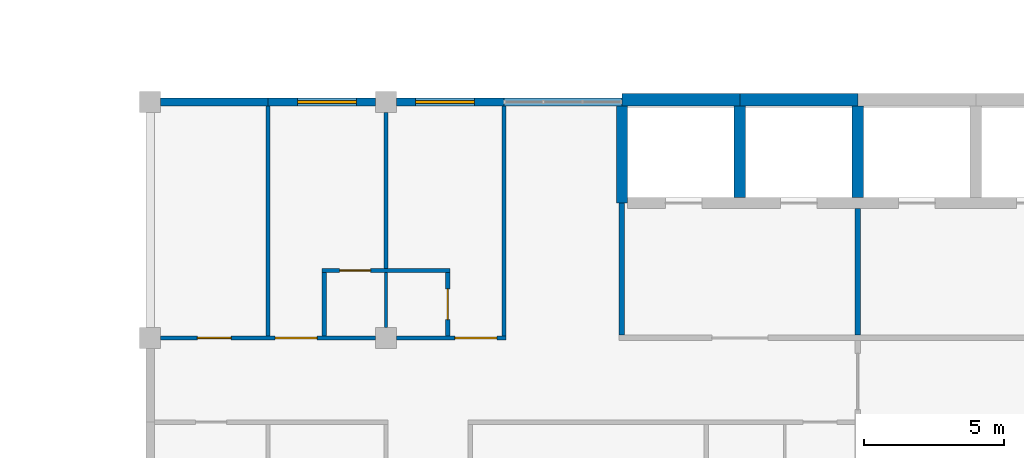
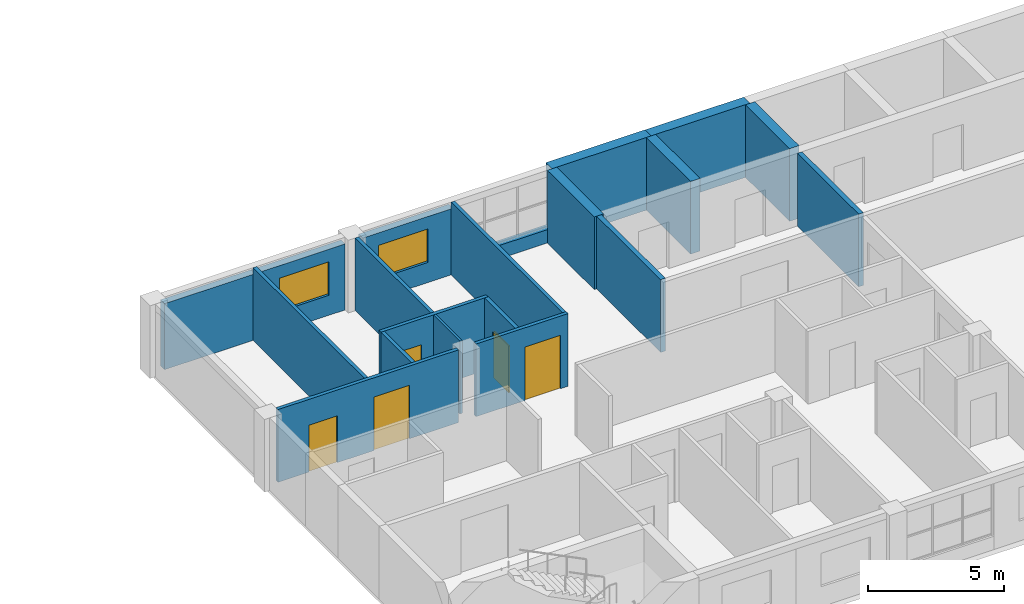
# One storey, part 31 of 46: 20 walls, 5 doors, 2 windows, 7 openings.
"""IFC4 building model written with IfcOpenShell, lengths in metres."""

from ifc_helpers import new_model, si_unit, direction, frame, frame_2d, origin, place, context, subcontext, project, spatial, rectangle, extrude, material, layer, layer_set, type_object, element, fill, save


model = new_model("IFC4")

# Units and contexts
model_context = context("Model", 3, precision=1e-05, world=origin(), true_north=direction((0.0, 1.0)))
body_context = subcontext(model_context, "Body", "Model", "MODEL_VIEW")
ifc_project = project(units=[si_unit("LENGTHUNIT", "METRE"), si_unit("AREAUNIT", "SQUARE_METRE"), si_unit("VOLUMEUNIT", "CUBIC_METRE"), si_unit("PLANEANGLEUNIT", "RADIAN"), si_unit("MASSUNIT", "GRAM", prefix="KILO")], contexts=[model_context])

# Site, building, storey
site_placement = place(None, origin())
site = spatial("IfcSite", under=ifc_project, at=site_placement, CompositionType="ELEMENT")
building_placement = place(site_placement, origin())
building = spatial("IfcBuilding", under=site, at=building_placement, Name="Yavir Park General Hospital", CompositionType="ELEMENT")
storey_placement = place(building_placement, frame((0.0, 0.0, 18.89990234375)))
storey = spatial("IfcBuildingStorey", under=building, at=storey_placement, Name="L04", CompositionType="ELEMENT", Elevation=18.89990234375)

# Walls
ifc_material_1 = material(Name="Double gypsum board fire partition on steel studs", Category="steel")
ifc_layer_1 = layer(ifc_material_1, 0.199951171875)
ifc_layer_set_1 = layer_set([ifc_layer_1], Name="Double gypsum board fire partition on steel studs")
wall_type_1 = type_object("IfcWallType", Name="Fire-rated partition 200, EI 60", PredefinedType="PARTITIONING", material=ifc_layer_set_1)
wall_1_placement = place(storey_placement, frame((117.60009765625, 16.89990234375, 0.0), z_axis=(0.0, 0.0, 1.0), x_axis=(0.0, 1.0, 0.0)))
element("IfcWall", 1, at=wall_1_placement, inside=storey, type_object=wall_type_1, Name="FP20 L04-240", PredefinedType="PARTITIONING", context=body_context, shape_type="SweptSolid", body=[
    extrude(rectangle(XDim=4.7001953125, YDim=0.199951171875, at=frame_2d((2.35009765625, 0.0))), origin(), (0.0, 0.0, 1.0), 3.260009765625),
])
wall_2_placement = place(storey_placement, frame((126.0, 16.89990234375, 0.0), z_axis=(0.0, 0.0, 1.0), x_axis=(0.0, 1.0, 0.0)))
element("IfcWall", 2, at=wall_2_placement, inside=storey, type_object=wall_type_1, Name="FP20 L04-249", PredefinedType="PARTITIONING", context=body_context, shape_type="SweptSolid", body=[
    extrude(rectangle(XDim=4.5, YDim=0.199951171875, at=frame_2d((2.25, 0.0))), origin(), (0.0, 0.0, 1.0), 3.260009765625),
])
ifc_material_2 = material(Name="Gypsum board partition on steel studs", Category="steel")
ifc_layer_2 = layer(ifc_material_2, 0.10009765625)
ifc_layer_set_2 = layer_set([ifc_layer_2], Name="Gypsum board partition on steel studs")
wall_type_2 = type_object("IfcWallType", Name="Gypsum board partition 100", PredefinedType="PARTITIONING", material=ifc_layer_set_2)
wall_3_placement = place(storey_placement, frame((109.199951171875, 17.175048828125, 0.0), z_axis=(0.0, 0.0, 1.0), x_axis=(0.0, 1.0, 0.0)))
element("IfcWall", 3, at=wall_3_placement, inside=storey, type_object=wall_type_2, Name="P10 L04-231", PredefinedType="PARTITIONING", context=body_context, shape_type="SweptSolid", body=[
    extrude(rectangle(XDim=1.949951171875, YDim=0.10009765625, at=frame_2d((0.97509765625, 0.0))), origin(), (0.0, 0.0, 1.0), 3.260009765625),
])

# Wall, openings, doors
ifc_material_3 = material(Name="Gypsum board partition on steel studs", Category="steel")
ifc_layer_3 = layer(ifc_material_3, 0.14990234375)
ifc_layer_set_3 = layer_set([ifc_layer_3], Name="Gypsum board partition on steel studs")
wall_type_3 = type_object("IfcWallType", Name="Gypsum board partition 150", PredefinedType="PARTITIONING", material=ifc_layer_set_3)
wall_4_placement = place(storey_placement, frame((101.175048828125, 16.800048828125, 0.0), z_axis=(0.0, 0.0, 1.0), x_axis=(1.0, 0.0, 0.0)))
wall_4 = element("IfcWall", 4, at=wall_4_placement, inside=storey, type_object=wall_type_3, Name="P15 L04-041", PredefinedType="PARTITIONING", context=body_context, shape_type="SweptSolid", body=[
    extrude(rectangle(XDim=7.64990234375, YDim=0.14990234375, at=frame_2d((3.824951171875, 0.0))), origin(), (0.0, 0.0, 1.0), 3.260009765625),
])
opening_1_placement = place(wall_4_placement, frame((1.3125, 0.0, 0.0)))
opening_1 = element("IfcOpeningElement", 5, at=opening_1_placement, cuts=wall_4, Name="Opening L04.D041", PredefinedType="OPENING", context=body_context, shape_type="SweptSolid", body=[
    extrude(rectangle(XDim=1.199951171875, YDim=2.10009765625, at=frame_2d((0.60009765625, 1.050048828125))), frame((0.0, 0.0849609375, 0.0), z_axis=(0.0, -1.0, 0.0), x_axis=(1.0, 0.0, 0.0)), (0.0, 0.0, 1.0), 0.169921875),
])
opening_2_placement = place(wall_4_placement, frame((4.074951171875, 0.0, 0.0)))
opening_2 = element("IfcOpeningElement", 6, at=opening_2_placement, cuts=wall_4, Name="Opening L04.D042", PredefinedType="OPENING", context=body_context, shape_type="SweptSolid", body=[
    extrude(rectangle(XDim=1.5, YDim=2.39990234375, at=frame_2d((0.75, 1.199951171875))), frame((0.0, 0.0849609375, 0.0), z_axis=(0.0, -1.0, 0.0), x_axis=(1.0, 0.0, 0.0)), (0.0, 0.0, 1.0), 0.169921875),
])
ifc_material_4 = material(Name="Solid-core timber leaves, push plates, kick plates", Category="wood")
door_type_1 = type_object("IfcDoorType", Name="Bed door, unequal leaves 1500 x 2400", OperationType="DOUBLE_DOOR_SINGLE_SWING", PredefinedType="DOOR", material=ifc_material_4)
door_1_placement = place(opening_2_placement, origin())
door_1 = element("IfcDoor", 7, at=door_1_placement, inside=storey, type_object=door_type_1, Name="L04.D042", OperationType="SINGLE_SWING_RIGHT", OverallHeight=2.39990234375, OverallWidth=1.5, PredefinedType="DOOR", context=body_context, shape_type="SweptSolid", body=[
    extrude(rectangle(XDim=1.5, YDim=2.39990234375, at=frame_2d((0.75, 1.199951171875))), frame((0.0, 0.030029296875, 0.0), z_axis=(0.0, -1.0, 0.0), x_axis=(1.0, 0.0, 0.0)), (0.0, 0.0, 1.0), 0.06005859375),
])
fill(opening_2, door_1)
ifc_material_5 = material(Name="Hollow metal frame, solid-core timber leaf", Category="wood")
door_type_2 = type_object("IfcDoorType", Name="Single swing door 1200 x 2100", OperationType="SINGLE_SWING_LEFT", PredefinedType="DOOR", material=ifc_material_5)
door_2_placement = place(opening_1_placement, origin())
door_2 = element("IfcDoor", 8, at=door_2_placement, inside=storey, type_object=door_type_2, Name="L04.D041", OperationType="SINGLE_SWING_LEFT", OverallHeight=2.10009765625, OverallWidth=1.199951171875, PredefinedType="DOOR", context=body_context, shape_type="SweptSolid", body=[
    extrude(rectangle(XDim=1.199951171875, YDim=2.10009765625, at=frame_2d((0.60009765625, 1.050048828125))), frame((0.0, 0.02490234375, 0.0), z_axis=(0.0, -1.0, 0.0), x_axis=(1.0, 0.0, 0.0)), (0.0, 0.0, 1.0), 0.050048828125),
])
fill(opening_1, door_2)

# Wall, opening, door
wall_5_placement = place(storey_placement, frame((109.574951171875, 16.800048828125, 0.0), z_axis=(0.0, 0.0, 1.0), x_axis=(1.0, 0.0, 0.0)))
wall_5 = element("IfcWall", 9, at=wall_5_placement, inside=storey, type_object=wall_type_3, Name="P15 L04-042", PredefinedType="PARTITIONING", context=body_context, shape_type="SweptSolid", body=[
    extrude(rectangle(XDim=3.900146484375, YDim=0.14990234375, at=frame_2d((1.9501953125, 0.0))), origin(), (0.0, 0.0, 1.0), 3.260009765625),
])
opening_3_placement = place(wall_5_placement, frame((2.074951171875, 0.0, 0.0)))
opening_3 = element("IfcOpeningElement", 10, at=opening_3_placement, cuts=wall_5, Name="Opening L04.D043", PredefinedType="OPENING", context=body_context, shape_type="SweptSolid", body=[
    extrude(rectangle(XDim=1.5, YDim=2.39990234375, at=frame_2d((0.75, 1.199951171875))), frame((0.0, 0.0849609375, 0.0), z_axis=(0.0, -1.0, 0.0), x_axis=(1.0, 0.0, 0.0)), (0.0, 0.0, 1.0), 0.169921875),
])
door_3_placement = place(opening_3_placement, origin())
door_3 = element("IfcDoor", 11, at=door_3_placement, inside=storey, type_object=door_type_1, Name="L04.D043", OperationType="SINGLE_SWING_RIGHT", OverallHeight=2.39990234375, OverallWidth=1.5, PredefinedType="DOOR", context=body_context, shape_type="SweptSolid", body=[
    extrude(rectangle(XDim=1.5, YDim=2.39990234375, at=frame_2d((0.75, 1.199951171875))), frame((0.0, 0.030029296875, 0.0), z_axis=(0.0, -1.0, 0.0), x_axis=(1.0, 0.0, 0.0)), (0.0, 0.0, 1.0), 0.06005859375),
])
fill(opening_3, door_3)

wall_6_placement = place(storey_placement, frame((106.925048828125, 19.199951171875, 0.0), z_axis=(0.0, 0.0, 1.0), x_axis=(1.0, 0.0, 0.0)))
wall_6 = element("IfcWall", 12, at=wall_6_placement, inside=storey, type_object=wall_type_3, Name="P15 L04-048", PredefinedType="PARTITIONING", context=body_context, shape_type="SweptSolid", body=[
    extrude(rectangle(XDim=4.550048828125, YDim=0.14990234375, at=frame_2d((2.27490234375, 0.0))), origin(), (0.0, 0.0, 1.0), 3.260009765625),
])
opening_4_placement = place(wall_6_placement, frame((0.625, 0.0, 0.0)))
opening_4 = element("IfcOpeningElement", 13, at=opening_4_placement, cuts=wall_6, Name="Opening L04.D050", PredefinedType="OPENING", context=body_context, shape_type="SweptSolid", body=[
    extrude(rectangle(XDim=1.10009765625, YDim=2.10009765625, at=frame_2d((0.550048828125, 1.050048828125))), frame((0.0, 0.0849609375, 0.0), z_axis=(0.0, -1.0, 0.0), x_axis=(1.0, 0.0, 0.0)), (0.0, 0.0, 1.0), 0.169921875),
])
ifc_material_6 = material(Name="Hollow metal frame, solid-core timber leaf", Category="wood")
door_type_3 = type_object("IfcDoorType", Name="Single swing door 1100 x 2100", OperationType="SINGLE_SWING_LEFT", PredefinedType="DOOR", material=ifc_material_6)
door_4_placement = place(opening_4_placement, origin())
door_4 = element("IfcDoor", 14, at=door_4_placement, inside=storey, type_object=door_type_3, Name="L04.D050", OperationType="SINGLE_SWING_LEFT", OverallHeight=2.10009765625, OverallWidth=1.10009765625, PredefinedType="DOOR", context=body_context, shape_type="SweptSolid", body=[
    extrude(rectangle(XDim=1.10009765625, YDim=2.10009765625, at=frame_2d((0.550048828125, 1.050048828125))), frame((0.0, 0.02490234375, 0.0), z_axis=(0.0, -1.0, 0.0), x_axis=(1.0, 0.0, 0.0)), (0.0, 0.0, 1.0), 0.050048828125),
])
fill(opening_4, door_4)

# Walls
wall_7_placement = place(storey_placement, frame((105.0, 16.875, 0.0), z_axis=(0.0, 0.0, 1.0), x_axis=(0.0, 1.0, 0.0)))
element("IfcWall", 15, at=wall_7_placement, inside=storey, type_object=wall_type_3, Name="P15 L04-226", PredefinedType="PARTITIONING", context=body_context, shape_type="SweptSolid", body=[
    extrude(rectangle(XDim=8.175048828125, YDim=0.14990234375, at=frame_2d((4.08740234375, 0.0))), origin(), (0.0, 0.0, 1.0), 3.260009765625),
])
wall_8_placement = place(storey_placement, frame((107.0, 16.875, 0.0), z_axis=(0.0, 0.0, 1.0), x_axis=(0.0, 1.0, 0.0)))
element("IfcWall", 16, at=wall_8_placement, inside=storey, type_object=wall_type_3, Name="P15 L04-227", PredefinedType="PARTITIONING", context=body_context, shape_type="SweptSolid", body=[
    extrude(rectangle(XDim=2.25, YDim=0.14990234375, at=frame_2d((1.125, 0.0))), origin(), (0.0, 0.0, 1.0), 3.260009765625),
])
wall_9_placement = place(storey_placement, frame((109.199951171875, 19.27490234375, 0.0), z_axis=(0.0, 0.0, 1.0), x_axis=(0.0, 1.0, 0.0)))
element("IfcWall", 17, at=wall_9_placement, inside=storey, type_object=wall_type_3, Name="P15 L04-232", PredefinedType="PARTITIONING", context=body_context, shape_type="SweptSolid", body=[
    extrude(rectangle(XDim=5.550048828125, YDim=0.14990234375, at=frame_2d((2.77490234375, 0.0))), origin(), (0.0, 0.0, 1.0), 3.260009765625),
])

# Wall, opening, door
wall_10_placement = place(storey_placement, frame((111.39990234375, 16.875, 0.0), z_axis=(0.0, 0.0, 1.0), x_axis=(0.0, 1.0, 0.0)))
wall_10 = element("IfcWall", 18, at=wall_10_placement, inside=storey, type_object=wall_type_3, Name="P15 L04-234", PredefinedType="PARTITIONING", context=body_context, shape_type="SweptSolid", body=[
    extrude(rectangle(XDim=2.25, YDim=0.14990234375, at=frame_2d((1.125, 0.0))), origin(), (0.0, 0.0, 1.0), 3.260009765625),
])
opening_5_placement = place(wall_10_placement, frame((0.574951171875, 0.0, 0.0)))
opening_5 = element("IfcOpeningElement", 19, at=opening_5_placement, cuts=wall_10, Name="Opening L04.D144", PredefinedType="OPENING", context=body_context, shape_type="SweptSolid", body=[
    extrude(rectangle(XDim=1.10009765625, YDim=2.10009765625, at=frame_2d((0.550048828125, 1.050048828125))), frame((0.0, 0.0849609375, 0.0), z_axis=(0.0, -1.0, 0.0), x_axis=(1.0, 0.0, 0.0)), (0.0, 0.0, 1.0), 0.169921875),
])
door_5_placement = place(opening_5_placement, origin())
door_5 = element("IfcDoor", 20, at=door_5_placement, inside=storey, type_object=door_type_3, Name="L04.D144", OperationType="SINGLE_SWING_LEFT", OverallHeight=2.10009765625, OverallWidth=1.10009765625, PredefinedType="DOOR", context=body_context, shape_type="SweptSolid", body=[
    extrude(rectangle(XDim=1.10009765625, YDim=2.10009765625, at=frame_2d((0.550048828125, 1.050048828125))), frame((0.0, 0.02490234375, 0.0), z_axis=(0.0, -1.0, 0.0), x_axis=(1.0, 0.0, 0.0)), (0.0, 0.0, 1.0), 0.050048828125),
])
fill(opening_5, door_5)

# Walls
wall_11_placement = place(storey_placement, frame((113.39990234375, 16.875, 0.0), z_axis=(0.0, 0.0, 1.0), x_axis=(0.0, 1.0, 0.0)))
element("IfcWall", 21, at=wall_11_placement, inside=storey, type_object=wall_type_3, Name="P15 L04-237", PredefinedType="PARTITIONING", context=body_context, shape_type="SweptSolid", body=[
    extrude(rectangle(XDim=8.175048828125, YDim=0.14990234375, at=frame_2d((4.08740234375, 0.0))), origin(), (0.0, 0.0, 1.0), 3.260009765625),
])
ifc_material_7 = material(Name="Autoclaved aerated block, mineral wool and ochre mineral render")
ifc_layer_4 = layer(ifc_material_7, 0.300048828125)
ifc_layer_set_4 = layer_set([ifc_layer_4], Name="Autoclaved aerated block, mineral wool and ochre mineral render")
wall_type_4 = type_object("IfcWallType", Name="Ochre render ward wall 300, E 30", PredefinedType="SOLIDWALL", material=ifc_layer_set_4)
wall_12_placement = place(storey_placement, frame((101.175048828125, 25.199951171875, 0.0), z_axis=(0.0, 0.0, 1.0), x_axis=(1.0, 0.0, 0.0)))
element("IfcWall", 22, at=wall_12_placement, inside=storey, type_object=wall_type_4, Name="XW7 L04-038", PredefinedType="SOLIDWALL", context=body_context, shape_type="SweptSolid", body=[
    extrude(rectangle(XDim=3.824951171875, YDim=0.300048828125, at=frame_2d((1.91259765625, 0.0))), origin(), (0.0, 0.0, 1.0), 2.960205078125),
])

# Wall, opening, window
wall_13_placement = place(storey_placement, frame((105.0, 25.199951171875, 0.0), z_axis=(0.0, 0.0, 1.0), x_axis=(1.0, 0.0, 0.0)))
wall_13 = element("IfcWall", 23, at=wall_13_placement, inside=storey, type_object=wall_type_4, Name="XW7 L04-039", PredefinedType="SOLIDWALL", context=body_context, shape_type="SweptSolid", body=[
    extrude(rectangle(XDim=3.824951171875, YDim=0.300048828125, at=frame_2d((1.91259765625, 0.0))), origin(), (0.0, 0.0, 1.0), 2.960205078125),
])
opening_6_placement = place(wall_13_placement, frame((1.050048828125, 0.0, 0.89990234375)))
opening_6 = element("IfcOpeningElement", 24, at=opening_6_placement, cuts=wall_13, Name="Opening WAR", PredefinedType="OPENING", context=body_context, shape_type="SweptSolid", body=[
    extrude(rectangle(XDim=2.10009765625, YDim=1.5, at=frame_2d((1.050048828125, 0.75))), frame((0.0, 0.159912109375, 0.0), z_axis=(0.0, -1.0, 0.0), x_axis=(1.0, 0.0, 0.0)), (0.0, 0.0, 1.0), 0.320068359375),
])
ifc_material_8 = material(Name="Aluminium frame, tilt-and-turn sash with opening restrictor, double glazed unit", Category="aluminium")
window_type = type_object("IfcWindowType", Name="Ward window, restricted opening 2100 x 1500", PartitioningType="DOUBLE_PANEL_VERTICAL", PredefinedType="WINDOW", material=ifc_material_8)
window_1_placement = place(opening_6_placement, origin())
window_1 = element("IfcWindow", 25, at=window_1_placement, inside=storey, type_object=window_type, Name="WAR L04-014", OverallHeight=1.5, OverallWidth=2.10009765625, PartitioningType="DOUBLE_PANEL_VERTICAL", PredefinedType="WINDOW", context=body_context, shape_type="SweptSolid", body=[
    extrude(rectangle(XDim=2.10009765625, YDim=1.5, at=frame_2d((1.050048828125, 0.75))), frame((0.0, 0.050048828125, 0.0), z_axis=(0.0, -1.0, 0.0), x_axis=(1.0, 0.0, 0.0)), (0.0, 0.0, 1.0), 0.10009765625),
])
fill(opening_6, window_1)

wall_14_placement = place(storey_placement, frame((109.574951171875, 25.199951171875, 0.0), z_axis=(0.0, 0.0, 1.0), x_axis=(1.0, 0.0, 0.0)))
wall_14 = element("IfcWall", 26, at=wall_14_placement, inside=storey, type_object=wall_type_4, Name="XW7 L04-040", PredefinedType="SOLIDWALL", context=body_context, shape_type="SweptSolid", body=[
    extrude(rectangle(XDim=3.824951171875, YDim=0.300048828125, at=frame_2d((1.91259765625, 0.0))), origin(), (0.0, 0.0, 1.0), 2.960205078125),
])
opening_7_placement = place(wall_14_placement, frame((0.675048828125, 0.0, 0.89990234375)))
opening_7 = element("IfcOpeningElement", 27, at=opening_7_placement, cuts=wall_14, Name="Opening WAR", PredefinedType="OPENING", context=body_context, shape_type="SweptSolid", body=[
    extrude(rectangle(XDim=2.10009765625, YDim=1.5, at=frame_2d((1.050048828125, 0.75))), frame((0.0, 0.159912109375, 0.0), z_axis=(0.0, -1.0, 0.0), x_axis=(1.0, 0.0, 0.0)), (0.0, 0.0, 1.0), 0.320068359375),
])
window_2_placement = place(opening_7_placement, origin())
window_2 = element("IfcWindow", 28, at=window_2_placement, inside=storey, type_object=window_type, Name="WAR L04-015", OverallHeight=1.5, OverallWidth=2.10009765625, PartitioningType="DOUBLE_PANEL_VERTICAL", PredefinedType="WINDOW", context=body_context, shape_type="SweptSolid", body=[
    extrude(rectangle(XDim=2.10009765625, YDim=1.5, at=frame_2d((1.050048828125, 0.75))), frame((0.0, 0.050048828125, 0.0), z_axis=(0.0, -1.0, 0.0), x_axis=(1.0, 0.0, 0.0)), (0.0, 0.0, 1.0), 0.10009765625),
])
fill(opening_7, window_2)

# Walls
wall_15_placement = place(storey_placement, frame((113.39990234375, 25.199951171875, 0.0), z_axis=(0.0, 0.0, 1.0), x_axis=(1.0, 0.0, 0.0)))
element("IfcWall", 29, at=wall_15_placement, inside=storey, type_object=wall_type_4, Name="XW7 L04-041", PredefinedType="SOLIDWALL", context=body_context, shape_type="SweptSolid", body=[
    extrude(rectangle(XDim=4.2001953125, YDim=0.300048828125, at=frame_2d((2.10009765625, 0.0))), origin(), (0.0, 0.0, 1.0), 0.60009765625),
])
ifc_material_9 = material(Name="Concrete C35/45", Category="concrete")
ifc_layer_5 = layer(ifc_material_9, 0.39990234375)
ifc_layer_set_5 = layer_set([ifc_layer_5], Name="Concrete C35/45")
wall_type_5 = type_object("IfcWallType", Name="Reinforced concrete core wall 400, REI 150", PredefinedType="SHEAR", material=ifc_layer_set_5)
wall_16_placement = place(storey_placement, frame((117.60009765625, 21.60009765625, 0.0), z_axis=(0.0, 0.0, 1.0), x_axis=(0.0, 1.0, 0.0)))
element("IfcWall", 30, at=wall_16_placement, inside=storey, type_object=wall_type_5, Name="CW40 L04-241", PredefinedType="SHEAR", context=body_context, shape_type="SweptSolid", body=[
    extrude(rectangle(XDim=3.449951171875, YDim=0.39990234375, at=frame_2d((1.72509765625, 0.0))), origin(), (0.0, 0.0, 1.0), 3.260009765625),
])
for number, where, z_axis, x_axis, name in (
    (31, (121.800048828125, 21.800048828125, 0.0), (0.0, 0.0, 1.0), (0.0, 1.0, 0.0), "CW40 L04-244"),
    (32, (126.0, 21.800048828125, 0.0), (0.0, 0.0, 1.0), (0.0, 1.0, 0.0), "CW40 L04-250"),
):
    element("IfcWall", number, at=place(storey_placement, frame(where, z_axis=z_axis, x_axis=x_axis)), inside=storey, type_object=wall_type_5, Name=name, PredefinedType="SHEAR", context=body_context, shape_type="SweptSolid", body=[
        extrude(rectangle(XDim=3.25, YDim=0.39990234375, at=frame_2d((1.625, 0.0))), origin(), (0.0, 0.0, 1.0), 3.260009765625),
    ])
ifc_material_10 = material(Name="Concrete C30/37 precast panel with 150 mm mineral wool insulation", Category="concrete")
ifc_layer_6 = layer(ifc_material_10, 0.449951171875)
ifc_layer_set_6 = layer_set([ifc_layer_6], Name="Concrete C30/37 precast panel with 150 mm mineral wool insulation")
wall_type_6 = type_object("IfcWallType", Name="Stair enclosure wall 450, REI 150", PredefinedType="SOLIDWALL", material=ifc_layer_set_6)
for number, where, z_axis, x_axis, name in (
    (33, (117.60009765625, 25.27490234375, 0.0), (0.0, 0.0, 1.0), (1.0, 0.0, 0.0), "XW6 L04-042"),
    (34, (121.800048828125, 25.27490234375, 0.0), (0.0, 0.0, 1.0), (1.0, 0.0, 0.0), "XW6 L04-043"),
):
    element("IfcWall", number, at=place(storey_placement, frame(where, z_axis=z_axis, x_axis=x_axis)), inside=storey, type_object=wall_type_6, Name=name, PredefinedType="SOLIDWALL", context=body_context, shape_type="SweptSolid", body=[
        extrude(rectangle(XDim=4.199951171875, YDim=0.449951171875, at=frame_2d((2.10009765625, 0.0))), origin(), (0.0, 0.0, 1.0), 3.260009765625),
    ])

save(model, "model.ifc")
